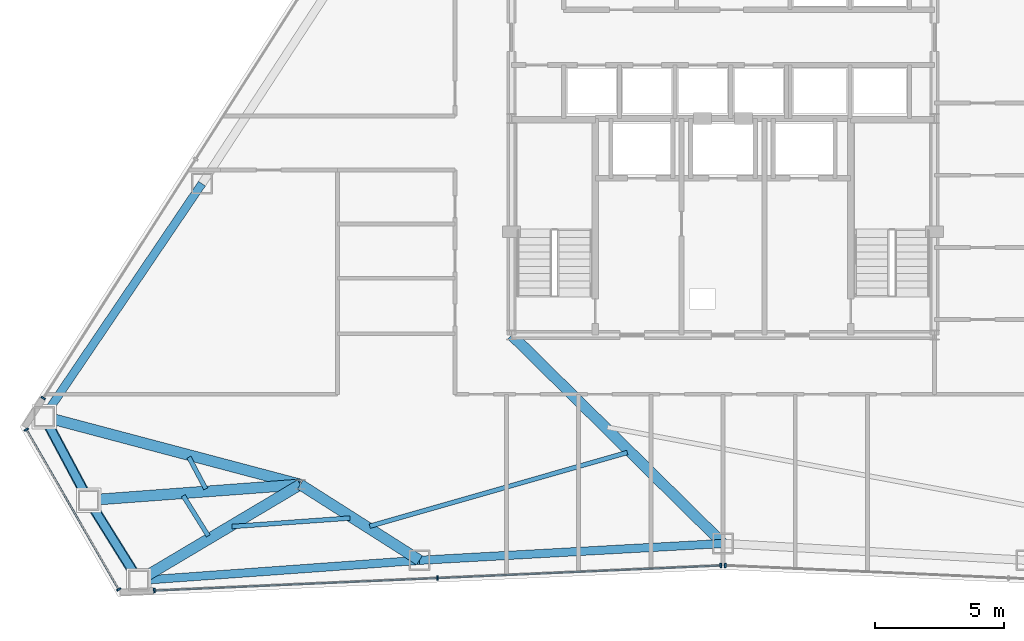
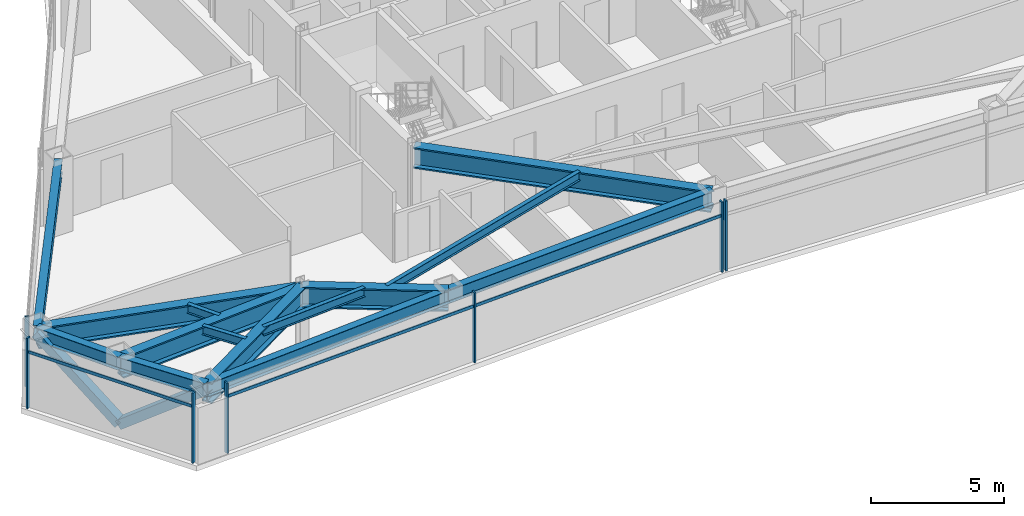
# One storey, part 3 of 13: 14 beams, 11 members, 4 elements without a shape of their own.
"""IFC4 building model written with IfcOpenShell, lengths in metres."""

from ifc_helpers import new_model, si_unit, direction, frame, origin, origin_2d, place, context, subcontext, project, spatial, rectangle, hollow_rectangle, i_section, extrude, source, transform, mapped, material, layer, layer_set, material_profile, profile_set, type_object, type_shapes, element, aggregate, save


model = new_model("IFC4")

# Units and contexts
model_context = context("Model", 3, precision=1e-05, world=origin(), true_north=direction((0.0, 1.0)))
body_context = subcontext(model_context, "Body", "Model", "MODEL_VIEW")
ifc_project = project(units=[si_unit("LENGTHUNIT", "METRE"), si_unit("AREAUNIT", "SQUARE_METRE"), si_unit("VOLUMEUNIT", "CUBIC_METRE"), si_unit("PLANEANGLEUNIT", "RADIAN"), si_unit("MASSUNIT", "GRAM", prefix="KILO")], contexts=[model_context])

# Site, building, storey
site_placement = place(None, origin())
site = spatial("IfcSite", under=ifc_project, at=site_placement, CompositionType="ELEMENT")
building_placement = place(site_placement, origin())
building = spatial("IfcBuilding", under=site, at=building_placement, Name="Varakhsha Concourse Tower", CompositionType="ELEMENT")
storey_placement = place(building_placement, frame((0.0, 0.0, 186.14990234375)))
storey = spatial("IfcBuildingStorey", under=building, at=storey_placement, Name="L53", CompositionType="ELEMENT", Elevation=186.14990234375)

# Beams
ifc_material_1 = material(Name="Structural Steel ASTM A992 Grade 50", Category="steel")
ifc_material_profile_1 = material_profile(ifc_material_1, i_section(OverallWidth=0.177978515625, OverallDepth=0.406982421875, WebThickness=0.008056640625, FlangeThickness=0.012939453125, at=origin_2d()), Name="W16X40")
ifc_profile_set_1 = profile_set([ifc_material_profile_1], Name="Structural Steel ASTM A992 Grade 50")
beam_type_1 = type_object("IfcBeamType", Name="BM-JST-W16X40", PredefinedType="JOIST", material=ifc_profile_set_1)
beam_1_placement = place(storey_placement, frame((19.27880859375, 11.660400390625, 3.006591796875), z_axis=(0.47050649777, -0.88239652966, 0.0), x_axis=(0.88239652966, 0.47050649777, 0.0)))
element("IfcBeam", 1, at=beam_1_placement, inside=storey, type_object=beam_type_1, Name="BM-TJST-L53-07", PredefinedType="JOIST", context=body_context, shape_type="SweptSolid", body=[
    extrude(i_section(OverallWidth=0.177978515625, OverallDepth=0.406982421875, WebThickness=0.008056640625, FlangeThickness=0.012939453125, at=origin_2d()), origin(), (0.0, 0.0, 1.0), 1.395263671875),
])
beam_2_placement = place(storey_placement, frame((19.06005859375, 10.16552734375, 3.006591796875), z_axis=(0.528910929319, -0.848677340835, 0.0), x_axis=(0.848677340835, 0.528910929319, 0.0)))
element("IfcBeam", 2, at=beam_2_placement, inside=storey, type_object=beam_type_1, Name="BM-TJST-L53-08", PredefinedType="JOIST", context=body_context, shape_type="SweptSolid", body=[
    extrude(i_section(OverallWidth=0.177978515625, OverallDepth=0.406982421875, WebThickness=0.008056640625, FlangeThickness=0.012939453125, at=origin_2d()), origin(), (0.0, 0.0, 1.0), 1.836181640625),
])
beam_3_placement = place(storey_placement, frame((20.951416015625, 8.96875, 3.006591796875), z_axis=(0.99741745466, 0.071822149372, 0.0), x_axis=(-0.071822149372, 0.99741745466, 0.0)))
element("IfcBeam", 3, at=beam_3_placement, inside=storey, type_object=beam_type_1, Name="BM-TJST-L53-09", PredefinedType="JOIST", context=body_context, shape_type="SweptSolid", body=[
    extrude(i_section(OverallWidth=0.177978515625, OverallDepth=0.406982421875, WebThickness=0.008056640625, FlangeThickness=0.012939453125, at=origin_2d()), origin(), (0.0, 0.0, 1.0), 4.585693359375),
])
beam_4_placement = place(storey_placement, frame((26.29541015625, 8.9833984375, 3.006591796875), z_axis=(0.961449438596, 0.274981775801, 0.0), x_axis=(-0.274981775801, 0.961449438596, 0.0)))
element("IfcBeam", 4, at=beam_4_placement, inside=storey, type_object=beam_type_1, Name="BM-TJST-L53-10", PredefinedType="JOIST", context=body_context, shape_type="SweptSolid", body=[
    extrude(i_section(OverallWidth=0.177978515625, OverallDepth=0.406982421875, WebThickness=0.008056640625, FlangeThickness=0.012939453125, at=origin_2d()), origin(), (0.0, 0.0, 1.0), 10.391357421875),
])
ifc_material_profile_2 = material_profile(ifc_material_1, i_section(OverallWidth=0.423095703125, OverallDepth=0.947998046875, WebThickness=0.0380859375, FlangeThickness=0.06396484375, at=origin_2d()), Name="W36X302")
ifc_profile_set_2 = profile_set([ifc_material_profile_2], Name="Structural Steel ASTM A992 Grade 50")
beam_type_2 = type_object("IfcBeamType", Name="BM-OUTR-W36X302", PredefinedType="USERDEFINED", material=ifc_profile_set_2)
beam_5_placement = place(storey_placement, frame((23.60009765625, 10.60009765625, 2.736083984375), z_axis=(-0.966706264469, 0.255888644213, 0.0), x_axis=(-0.255888644213, -0.966706264469, 0.0)))
element("IfcBeam", 5, at=beam_5_placement, inside=storey, type_object=beam_type_2, Name="L53 Radial Floor Girder 07", ObjectType="GIRDER", PredefinedType="USERDEFINED", context=body_context, shape_type="SweptSolid", body=[
    extrude(i_section(OverallWidth=0.423095703125, OverallDepth=0.947998046875, WebThickness=0.0380859375, FlangeThickness=0.06396484375, at=origin_2d()), origin(), (0.0, 0.0, 1.0), 10.28125),
])
beam_6_placement = place(storey_placement, frame((23.60009765625, 10.60009765625, 2.736083984375), z_axis=(-0.997259576834, -0.073982000601, 0.0), x_axis=(0.073982000601, -0.997259576834, 0.0)))
element("IfcBeam", 6, at=beam_6_placement, inside=storey, type_object=beam_type_2, Name="L53 Radial Floor Girder 08", ObjectType="GIRDER", PredefinedType="USERDEFINED", context=body_context, shape_type="SweptSolid", body=[
    extrude(i_section(OverallWidth=0.423095703125, OverallDepth=0.947998046875, WebThickness=0.0380859375, FlangeThickness=0.06396484375, at=origin_2d()), origin(), (0.0, 0.0, 1.0), 8.2333984375),
])
beam_7_placement = place(storey_placement, frame((23.60009765625, 10.60009765625, 2.736083984375), z_axis=(-0.859653517762, -0.510877509193, 0.0), x_axis=(0.510877509193, -0.859653517762, 0.0)))
element("IfcBeam", 7, at=beam_7_placement, inside=storey, type_object=beam_type_2, Name="L53 Radial Floor Girder 09", ObjectType="GIRDER", PredefinedType="USERDEFINED", context=body_context, shape_type="SweptSolid", body=[
    extrude(i_section(OverallWidth=0.423095703125, OverallDepth=0.947998046875, WebThickness=0.0380859375, FlangeThickness=0.06396484375, at=origin_2d()), origin(), (0.0, 0.0, 1.0), 7.29248046875),
])
beam_8_placement = place(storey_placement, frame((23.60009765625, 10.60009765625, 2.736083984375), z_axis=(0.843843041269, -0.536590087218, 0.0), x_axis=(0.536590087218, 0.843843041269, 0.0)))
element("IfcBeam", 8, at=beam_8_placement, inside=storey, type_object=beam_type_2, Name="L53 Radial Floor Girder 10", ObjectType="GIRDER", PredefinedType="USERDEFINED", context=body_context, shape_type="SweptSolid", body=[
    extrude(i_section(OverallWidth=0.423095703125, OverallDepth=0.947998046875, WebThickness=0.0380859375, FlangeThickness=0.06396484375, at=origin_2d()), origin(), (0.0, 0.0, 1.0), 5.480224609375),
])
beam_9_placement = place(storey_placement, frame((31.800048828125, 16.39990234375, 2.736083984375), z_axis=(0.711976030117, -0.702203768531, 0.0), x_axis=(0.702203768531, 0.711976030117, 0.0)))
element("IfcBeam", 9, at=beam_9_placement, inside=storey, type_object=beam_type_2, Name="L53 Radial Floor Girder 11", ObjectType="GIRDER", PredefinedType="USERDEFINED", context=body_context, shape_type="SweptSolid", body=[
    extrude(i_section(OverallWidth=0.423095703125, OverallDepth=0.947998046875, WebThickness=0.0380859375, FlangeThickness=0.06396484375, at=origin_2d()), origin(), (0.0, 0.0, 1.0), 11.51708984375),
])
ifc_material_profile_3 = material_profile(ifc_material_1, i_section(OverallWidth=0.323974609375, OverallDepth=0.611083984375, WebThickness=0.012939453125, FlangeThickness=0.01904296875, at=origin_2d()), Name="W24X104")
ifc_profile_set_3 = profile_set([ifc_material_profile_3], Name="Structural Steel ASTM A992 Grade 50")
beam_type_3 = type_object("IfcBeamType", Name="BM-SPAN-W24X104", PredefinedType="SPANDREL", material=ifc_profile_set_3)
beam_10_placement = place(storey_placement, frame((19.78759765625, 22.2724609375, 2.904541015625), z_axis=(-0.560946995481, -0.827851718764, 0.0), x_axis=(0.827851718764, -0.560946995481, 0.0)))
element("IfcBeam", 10, at=beam_10_placement, inside=storey, type_object=beam_type_3, Name="BM-SPAN-L53-06", PredefinedType="SPANDREL", context=body_context, shape_type="SweptSolid", body=[
    extrude(i_section(OverallWidth=0.323974609375, OverallDepth=0.611083984375, WebThickness=0.012939453125, FlangeThickness=0.01904296875, at=origin_2d()), origin(), (0.0, 0.0, 1.0), 10.921630859375),
])
beam_11_placement = place(storey_placement, frame((13.6611328125, 13.23095703125, 2.904541015625), z_axis=(0.470595137047, -0.882349260207, 0.0), x_axis=(0.882349260207, 0.470595137047, 0.0)))
element("IfcBeam", 11, at=beam_11_placement, inside=storey, type_object=beam_type_3, Name="BM-SPAN-L53-07", PredefinedType="SPANDREL", context=body_context, shape_type="SweptSolid", body=[
    extrude(i_section(OverallWidth=0.323974609375, OverallDepth=0.611083984375, WebThickness=0.012939453125, FlangeThickness=0.01904296875, at=origin_2d()), origin(), (0.0, 0.0, 1.0), 3.672119140625),
])
beam_12_placement = place(storey_placement, frame((15.38916015625, 9.990966796875, 2.904541015625), z_axis=(0.528844996181, -0.848718427993, 0.0), x_axis=(0.848718427993, 0.528844996181, 0.0)))
element("IfcBeam", 12, at=beam_12_placement, inside=storey, type_object=beam_type_3, Name="BM-SPAN-L53-08", PredefinedType="SPANDREL", context=body_context, shape_type="SweptSolid", body=[
    extrude(i_section(OverallWidth=0.323974609375, OverallDepth=0.611083984375, WebThickness=0.012939453125, FlangeThickness=0.01904296875, at=origin_2d()), origin(), (0.0, 0.0, 1.0), 3.671875),
])
beam_13_placement = place(storey_placement, frame((17.3310546875, 6.87451171875, 2.904541015625), z_axis=(0.997414254254, 0.071866580624, 0.0), x_axis=(-0.071866580624, 0.997414254254, 0.0)))
element("IfcBeam", 13, at=beam_13_placement, inside=storey, type_object=beam_type_3, Name="BM-SPAN-L53-09", PredefinedType="SPANDREL", context=body_context, shape_type="SweptSolid", body=[
    extrude(i_section(OverallWidth=0.323974609375, OverallDepth=0.611083984375, WebThickness=0.012939453125, FlangeThickness=0.01904296875, at=origin_2d()), origin(), (0.0, 0.0, 1.0), 10.921875),
])
beam_14_placement = place(storey_placement, frame((28.224609375, 7.659423828125, 2.904541015625), z_axis=(0.998465571879, 0.055376003582, 0.0), x_axis=(-0.055376003582, 0.998465571879, 0.0)))
element("IfcBeam", 14, at=beam_14_placement, inside=storey, type_object=beam_type_3, Name="BM-SPAN-L53-10", PredefinedType="SPANDREL", context=body_context, shape_type="SweptSolid", body=[
    extrude(i_section(OverallWidth=0.323974609375, OverallDepth=0.611083984375, WebThickness=0.012939453125, FlangeThickness=0.01904296875, at=origin_2d()), origin(), (0.0, 0.0, 1.0), 11.79345703125),
])

# Members
ifc_material_2 = material(Name="Structural Steel ASTM A500 Grade C", Category="steel")
ifc_material_profile_4 = material_profile(ifc_material_2, hollow_rectangle(XDim=0.39990234375, YDim=0.39990234375, WallThickness=0.01611328125, at=origin_2d()), Name="HSS 400x400x16")
ifc_profile_set_4 = profile_set([ifc_material_profile_4], Name="Structural Steel ASTM A500 Grade C")
member_type_1 = type_object("IfcMemberType", Name="MB-TUBE-HSS400", PredefinedType="BRACE", material=ifc_profile_set_4)
shared_shape_1 = source(origin(), body_context, "Body", "SweptSolid", [
    extrude(hollow_rectangle(XDim=0.39990234375, YDim=0.39990234375, WallThickness=0.01611328125, at=origin_2d()), origin(), (0.0, 0.0, 1.0), 4.61181640625),
])
member_1_placement = place(storey_placement, frame((15.38916015625, 9.990966796875, 0.1201171875), z_axis=(-0.37470368715, 0.702556178604, 0.60498922531), x_axis=(-0.882349260207, -0.470595137047, 0.0)))
element("IfcMember", 15, at=member_1_placement, inside=storey, type_object=member_type_1, Name="L53 Wind-Corner Tube Brace B03", PredefinedType="BRACE", context=body_context, shape_type="MappedRepresentation", body=[
    mapped(shared_shape_1, transform((0.0, 0.0, 0.0), scale=1.0)),
])
shared_shape_2 = source(origin(), body_context, "Body", "SweptSolid", [
    extrude(hollow_rectangle(XDim=0.39990234375, YDim=0.39990234375, WallThickness=0.01611328125, at=origin_2d()), origin(), (0.0, 0.0, 1.0), 4.611572265625),
])
type_shapes(member_type_1, [shared_shape_1, shared_shape_2])
member_2_placement = place(storey_placement, frame((15.38916015625, 9.990966796875, 0.1201171875), z_axis=(0.421082078915, -0.675774797253, 0.604994467921), x_axis=(0.848718427993, 0.528844996181, 0.0)))
element("IfcMember", 16, at=member_2_placement, inside=storey, type_object=member_type_1, Name="L53 Wind-Corner Tube Brace B04", PredefinedType="BRACE", context=body_context, shape_type="MappedRepresentation", body=[
    mapped(shared_shape_2, transform((0.0, 0.0, 0.0), scale=1.0)),
])

# Curtain wall, member
ifc_material_3 = material(Name="Anodised Bronze Architectural Aluminium AA 6063-T6", Category="aluminium")
ifc_layer = layer(ifc_material_3, 0.2099609375, Name="CW-SYS-04")
ifc_layer_set = layer_set([ifc_layer], Name="Anodised Bronze Architectural Aluminium AA 6063-T6")
curtain_wall_type = type_object("IfcCurtainWallType", Name="CW-SYS-04", PredefinedType="NOTDEFINED", material=ifc_layer_set)
curtain_wall_1_placement = place(storey_placement, origin())
curtain_wall_1 = element("IfcCurtainWall", 17, at=curtain_wall_1_placement, inside=storey, type_object=curtain_wall_type, Name="L53 Crystal Curtain Wall F3", PredefinedType="NOTDEFINED")
ifc_material_profile_5 = material_profile(ifc_material_3, rectangle(XDim=0.06494140625, YDim=0.179931640625, at=origin_2d()), Name="CWM-180X65")
ifc_profile_set_5 = profile_set([ifc_material_profile_5], Name="Anodised Bronze Architectural Aluminium AA 6063-T6")
member_type_2 = type_object("IfcMemberType", Name="CWM-180X65", PredefinedType="MULLION", material=ifc_profile_set_5)
shared_shape_3 = source(origin(), body_context, "Body", "SweptSolid", [
    extrude(rectangle(XDim=0.06494140625, YDim=0.179931640625, at=origin_2d()), origin(), (0.0, 0.0, 1.0), 3.210205078125),
])
type_shapes(member_type_2, [shared_shape_3])
member_3_placement = place(storey_placement, frame((13.62548828125, 13.952880859375, 0.0), z_axis=(0.0, 0.0, 1.0), x_axis=(0.537863262638, 0.84303209352, 0.0)))
member_3 = element("IfcMember", 18, at=member_3_placement, type_object=member_type_2, Name="CW-L53-F3 Mullion 00", PredefinedType="MULLION", context=body_context, shape_type="MappedRepresentation", body=[
    mapped(shared_shape_3, transform((0.0, 0.0, 0.0), scale=1.0)),
])
aggregate(curtain_wall_1, [member_3])

# Curtain wall, members
curtain_wall_2_placement = place(storey_placement, origin())
curtain_wall_2 = element("IfcCurtainWall", 19, at=curtain_wall_2_placement, inside=storey, type_object=curtain_wall_type, Name="L53 Chamfer Curtain Wall F4", PredefinedType="NOTDEFINED")
member_4_placement = place(storey_placement, frame((16.5556640625, 6.530517578125, 0.0), z_axis=(0.0, 0.0, 1.0), x_axis=(-0.499996976998, 0.866027149108, 0.0)))
member_4 = element("IfcMember", 20, at=member_4_placement, type_object=member_type_2, Name="CW-L53-F4 Mullion 00", PredefinedType="MULLION", context=body_context, shape_type="MappedRepresentation", body=[
    mapped(shared_shape_3, transform((0.0, 0.0, 0.0), scale=1.0)),
])
member_5_placement = place(storey_placement, frame((12.9755859375, 12.731201171875, 0.0), z_axis=(0.0, 0.0, 1.0), x_axis=(-0.499996976998, 0.866027149108, 0.0)))
member_5 = element("IfcMember", 21, at=member_5_placement, type_object=member_type_2, Name="CW-L53-F4 Mullion 01", PredefinedType="MULLION", context=body_context, shape_type="MappedRepresentation", body=[
    mapped(shared_shape_3, transform((0.0, 0.0, 0.0), scale=1.0)),
])

curtain_wall_3_placement = place(storey_placement, origin())
curtain_wall_3 = element("IfcCurtainWall", 22, at=curtain_wall_3_placement, inside=storey, type_object=curtain_wall_type, Name="L53 Crystal Curtain Wall F5", PredefinedType="NOTDEFINED")
member_6_placement = place(storey_placement, frame((39.9130859375, 7.456787109375, 0.0), z_axis=(0.0, 0.0, 1.0), x_axis=(-0.999018917807, -0.04428545883, 0.0)))
member_6 = element("IfcMember", 23, at=member_6_placement, type_object=member_type_2, Name="CW-L53-F5 Mullion 00", PredefinedType="MULLION", context=body_context, shape_type="MappedRepresentation", body=[
    mapped(shared_shape_3, transform((0.0, 0.0, 0.0), scale=1.0)),
])
member_7_placement = place(storey_placement, frame((28.92578125, 6.9697265625, 0.0), z_axis=(0.0, 0.0, 1.0), x_axis=(-0.999018917807, -0.04428545883, 0.0)))
member_7 = element("IfcMember", 24, at=member_7_placement, type_object=member_type_2, Name="CW-L53-F5 Mullion 01", PredefinedType="MULLION", context=body_context, shape_type="MappedRepresentation", body=[
    mapped(shared_shape_3, transform((0.0, 0.0, 0.0), scale=1.0)),
])
member_8_placement = place(storey_placement, frame((17.9384765625, 6.482666015625, 0.0), z_axis=(0.0, 0.0, 1.0), x_axis=(-0.999018917807, -0.04428545883, 0.0)))
member_8 = element("IfcMember", 25, at=member_8_placement, type_object=member_type_2, Name="CW-L53-F5 Mullion 02", PredefinedType="MULLION", context=body_context, shape_type="MappedRepresentation", body=[
    mapped(shared_shape_3, transform((0.0, 0.0, 0.0), scale=1.0)),
])

# Curtain wall, member
curtain_wall_4_placement = place(storey_placement, origin())
curtain_wall_4 = element("IfcCurtainWall", 26, at=curtain_wall_4_placement, inside=storey, type_object=curtain_wall_type, Name="L53 Crystal Curtain Wall F6", PredefinedType="NOTDEFINED")
member_9_placement = place(storey_placement, frame((40.0869140625, 7.456787109375, 0.0), z_axis=(0.0, 0.0, 1.0), x_axis=(-0.999018917807, 0.04428545883, 0.0)))
member_9 = element("IfcMember", 27, at=member_9_placement, type_object=member_type_2, Name="CW-L53-F6 Mullion 02", PredefinedType="MULLION", context=body_context, shape_type="MappedRepresentation", body=[
    mapped(shared_shape_3, transform((0.0, 0.0, 0.0), scale=1.0)),
])
aggregate(curtain_wall_4, [member_9])

# Member
ifc_material_profile_6 = material_profile(ifc_material_3, rectangle(XDim=0.06005859375, YDim=0.139892578125, at=origin_2d()), Name="CWT-140X60")
ifc_profile_set_6 = profile_set([ifc_material_profile_6], Name="Anodised Bronze Architectural Aluminium AA 6063-T6")
member_type_3 = type_object("IfcMemberType", Name="CWT-140X60", PredefinedType="USERDEFINED", material=ifc_profile_set_6)
shared_shape_4 = source(origin(), body_context, "Body", "SweptSolid", [
    extrude(rectangle(XDim=0.06005859375, YDim=0.139892578125, at=origin_2d()), origin(), (0.0, 0.0, 1.0), 21.99609375),
])
member_10_placement = place(storey_placement, frame((39.9130859375, 7.456787109375, 2.56005859375), z_axis=(-0.999018898193, -0.044285901295, 0.0), x_axis=(0.044285901295, -0.999018898193, 0.0)))
member_10 = element("IfcMember", 28, at=member_10_placement, type_object=member_type_3, Name="CW-L53-F5 Transom 01", ObjectType="TRANSOM", PredefinedType="USERDEFINED", context=body_context, shape_type="MappedRepresentation", body=[
    mapped(shared_shape_4, transform((0.0, 0.0, 0.0), scale=1.0)),
])

aggregate(curtain_wall_3, [member_6, member_7, member_8, member_10])

shared_shape_5 = source(origin(), body_context, "Body", "SweptSolid", [
    extrude(rectangle(XDim=0.06005859375, YDim=0.139892578125, at=origin_2d()), origin(), (0.0, 0.0, 1.0), 7.159912109375),
])
type_shapes(member_type_3, [shared_shape_4, shared_shape_5])
member_11_placement = place(storey_placement, frame((16.5556640625, 6.530517578125, 2.56005859375), z_axis=(-0.500011709085, 0.866018643436, 0.0), x_axis=(-0.866018643436, -0.500011709085, 0.0)))
member_11 = element("IfcMember", 29, at=member_11_placement, type_object=member_type_3, Name="CW-L53-F4 Transom 01", ObjectType="TRANSOM", PredefinedType="USERDEFINED", context=body_context, shape_type="MappedRepresentation", body=[
    mapped(shared_shape_5, transform((0.0, 0.0, 0.0), scale=1.0)),
])

aggregate(curtain_wall_2, [member_4, member_5, member_11])

save(model, "model.ifc")
